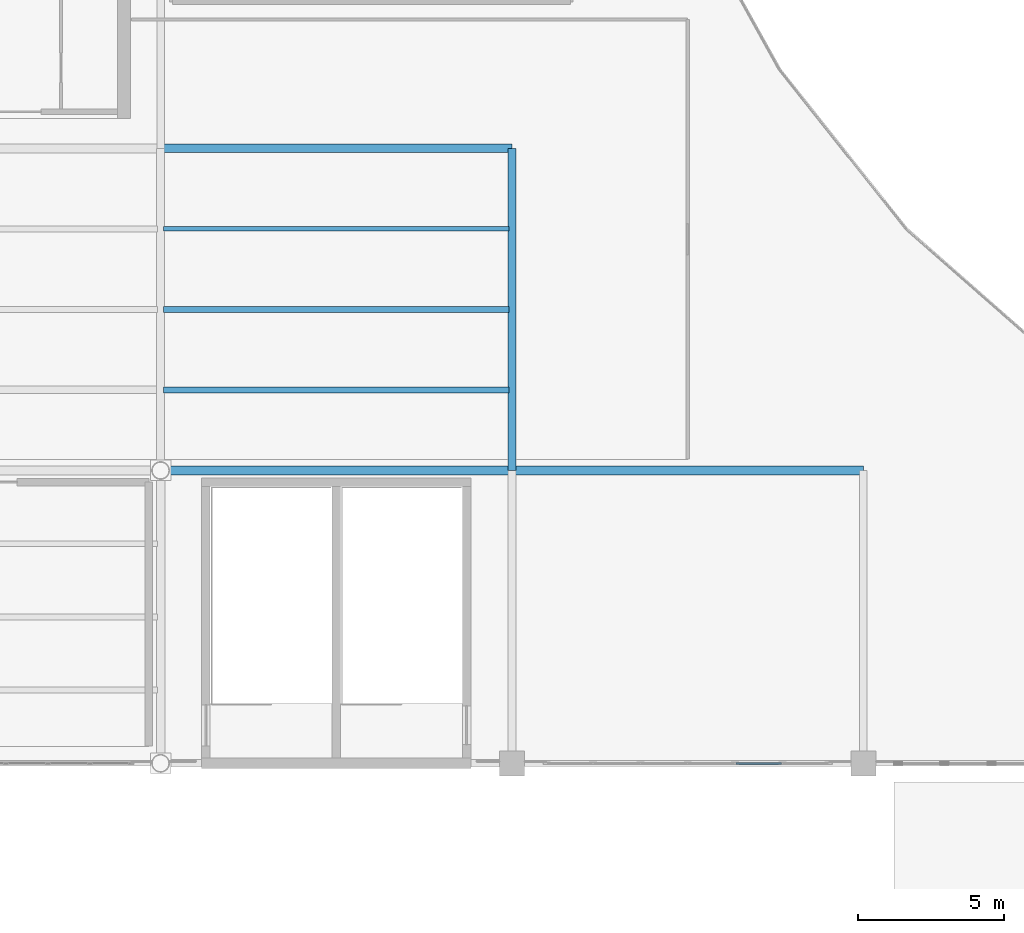
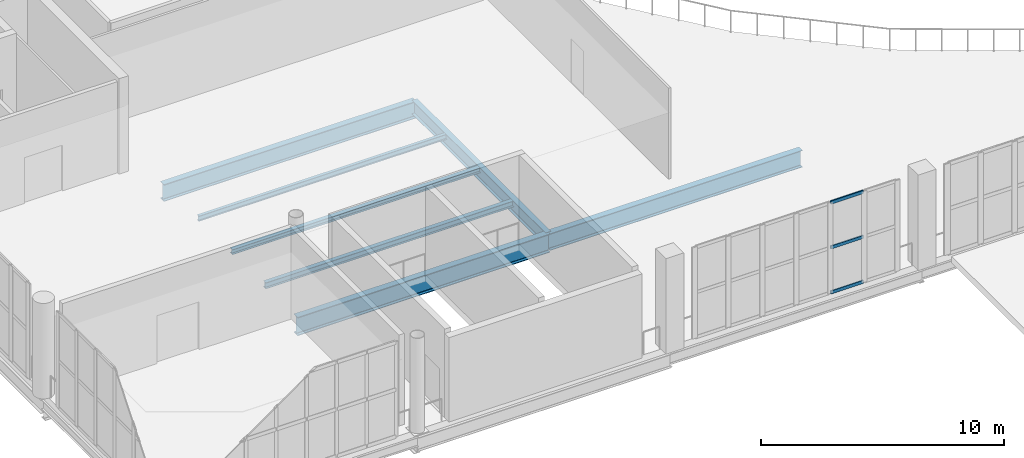
# One storey, part 11 of 49: 7 beams, 3 members, 1 element without a shape of its own.
"""IFC4 building model written with IfcOpenShell, lengths in metres."""

import ifcopenshell
import ifcopenshell.guid

model = None  # the IFC model being written
_history = None  # IfcOwnerHistory: only IFC2X3 demands one
_inside = {}  # id of a spatial element -> (the spatial element, [elements in it])
_under = {}  # id of a project, library or spatial element -> (it, [spatial elements below it])
_declared = {}  # id of a project -> (the project, [libraries it declares])
_typed = {}  # id of a type object -> (the type object, [elements of that type])
_made_of = {}  # id of a material, layer set ... -> (it, [elements and type objects made of it])


def new_model(schema):
    """Start an empty IFC model of exactly this schema.

    Asked for "IFC4X3", IfcOpenShell would pick the latest addendum, in which some entities
    have other attributes; the version numbers below select the first issue.
    IFC2X3 requires an IfcOwnerHistory on every rooted entity: one is made here for all.
    """
    global model, _history
    if schema == "IFC4X3":
        model = ifcopenshell.file(schema_version=(4, 3, 0, 0))
    else:
        model = ifcopenshell.file(schema=schema)
    _inside.clear()
    _under.clear()
    _declared.clear()
    _typed.clear()
    _made_of.clear()
    _history = None
    if model.schema == "IFC2X3":
        org = make("IfcOrganization", Name="unknown")
        user = make(
            "IfcPersonAndOrganization",
            ThePerson=make("IfcPerson", FamilyName="unknown"),
            TheOrganization=org,
        )
        app = make(
            "IfcApplication",
            ApplicationDeveloper=org,
            Version="unknown",
            ApplicationFullName="unknown",
            ApplicationIdentifier="unknown",
        )
        _history = make(
            "IfcOwnerHistory",
            OwningUser=user,
            OwningApplication=app,
            ChangeAction="ADDED",
            CreationDate=0,
        )
    return model


def make(cls, **values):
    """One entity of the class cls with the attributes given. An attribute that is None is left unset."""
    return model.create_entity(
        cls, **{name: value for name, value in values.items() if value is not None}
    )


def rooted(cls, **values):
    """An entity with a GlobalId (a new one), such as an element, a storey or a relation."""
    return make(cls, GlobalId=ifcopenshell.guid.new(), OwnerHistory=_history, **values)


def si_unit(unit_type, name, prefix=None):
    """IfcSIUnit, for example si_unit("LENGTHUNIT", "METRE", prefix="MILLI")."""
    return make("IfcSIUnit", UnitType=unit_type, Prefix=prefix, Name=name)


def assignment(units):
    """IfcUnitAssignment: the units of a project."""
    return None if units is None else make("IfcUnitAssignment", Units=units)


def point(xyz):
    """IfcCartesianPoint."""
    return None if xyz is None else make("IfcCartesianPoint", Coordinates=xyz)


def direction(xyz):
    """IfcDirection."""
    return None if xyz is None else make("IfcDirection", DirectionRatios=xyz)


def frame(location, z_axis=None, x_axis=None):
    """IfcAxis2Placement3D, a coordinate frame: its origin and axes. An axis left out is left unset."""
    return make(
        "IfcAxis2Placement3D",
        Location=point(location),
        Axis=direction(z_axis),
        RefDirection=direction(x_axis),
    )


def frame_2d(location, x_axis=None):
    """IfcAxis2Placement2D, a coordinate frame in the plane: its origin and x axis."""
    return make(
        "IfcAxis2Placement2D", Location=point(location), RefDirection=direction(x_axis)
    )


def origin():
    """The frame at (0, 0, 0) with its axes left unset."""
    return frame((0.0, 0.0, 0.0))


def origin_2d():
    """The frame at (0, 0) in the plane with its x axis left unset."""
    return frame_2d((0.0, 0.0))


def place(relative_to, where):
    """IfcLocalPlacement: puts the frame where relative to a parent placement (None: the world)."""
    return make(
        "IfcLocalPlacement", PlacementRelTo=relative_to, RelativePlacement=where
    )


def context(
    kind, dimensions, precision=None, world=None, true_north=None, identifier=None
):
    """IfcGeometricRepresentationContext, for example the 3D "Model" context."""
    return make(
        "IfcGeometricRepresentationContext",
        ContextIdentifier=identifier,
        ContextType=kind,
        CoordinateSpaceDimension=dimensions,
        Precision=precision,
        WorldCoordinateSystem=world,
        TrueNorth=true_north,
    )


def subcontext(parent, identifier, kind, view, scale=None):
    """IfcGeometricRepresentationSubContext, for example "Body" below "Model"."""
    return make(
        "IfcGeometricRepresentationSubContext",
        ContextIdentifier=identifier,
        ContextType=kind,
        ParentContext=parent,
        TargetScale=scale,
        TargetView=view,
    )


def project(units=None, contexts=None):
    """IfcProject with its units and contexts."""
    return rooted(
        "IfcProject",
        Name="project",
        RepresentationContexts=contexts,
        UnitsInContext=assignment(units),
    )


def spatial(cls, under=None, at=None, **own):
    """A site, building, storey or space (cls), placed at a placement, below another one or the project."""
    s = rooted(cls, ObjectPlacement=at, **own)
    if under is not None:
        _under.setdefault(under.id(), (under, []))[1].append(s)
    return s


def profile(cls, at=None, kind="AREA", **sizes):
    """A parametric profile (cls). Its sizes go by their IFC names, for example OverallWidth=200.0."""
    return make(cls, ProfileType=kind, Position=at, **sizes)


def hollow_rectangle(**sizes):
    """IfcRectangleHollowProfileDef."""
    return profile("IfcRectangleHollowProfileDef", **sizes)


def i_section(**sizes):
    """IfcIShapeProfileDef."""
    return profile("IfcIShapeProfileDef", **sizes)


def extrude(swept, where, along, depth):
    """IfcExtrudedAreaSolid: the profile swept, set in the frame where, extruded along a direction by depth."""
    return make(
        "IfcExtrudedAreaSolid",
        SweptArea=swept,
        Position=where,
        ExtrudedDirection=direction(along),
        Depth=depth,
    )


def shape(context_of_items, identifier, shape_type, items):
    """IfcShapeRepresentation: the items that make up one representation, for example the "Body"."""
    return make(
        "IfcShapeRepresentation",
        ContextOfItems=context_of_items,
        RepresentationIdentifier=identifier,
        RepresentationType=shape_type,
        Items=items,
    )


def material(Name=None, Category=None):
    """IfcMaterial."""
    return make("IfcMaterial", Name=Name, Category=Category)


def layer(
    of_material, thickness, ventilated=None, Name=None, Category=None, Priority=None
):
    """IfcMaterialLayer: one layer of a wall or slab, of a material (None: an air gap)."""
    return make(
        "IfcMaterialLayer",
        Material=of_material,
        LayerThickness=thickness,
        IsVentilated=ventilated,
        Name=Name,
        Category=Category,
        Priority=Priority,
    )


def layer_set(layers, Name=None):
    """IfcMaterialLayerSet."""
    return make("IfcMaterialLayerSet", MaterialLayers=layers, LayerSetName=Name)


def material_profile(
    of_material, cross_section, Name=None, Category=None, Priority=None
):
    """IfcMaterialProfile: a cross section and its material."""
    return make(
        "IfcMaterialProfile",
        Name=Name,
        Material=of_material,
        Profile=cross_section,
        Priority=Priority,
        Category=Category,
    )


def profile_set(profiles, Name=None, composite=None):
    """IfcMaterialProfileSet."""
    return make(
        "IfcMaterialProfileSet",
        Name=Name,
        MaterialProfiles=profiles,
        CompositeProfile=composite,
    )


def made_of(thing, what):
    """Note that an element or type object is made of a material, layer set ...; save() writes the relation."""
    if what is not None:
        _made_of.setdefault(what.id(), (what, []))[1].append(thing)
    return thing


def type_object(cls, material=None, **own):
    """A type object (cls), such as IfcWallType, which elements share."""
    return made_of(rooted(cls, **own), material)


def element(
    cls,
    number,
    at=None,
    inside=None,
    cuts=None,
    type_object=None,
    material=None,
    context=None,
    identifier="Body",
    shape_type=None,
    held_by="IfcProductDefinitionShape",
    body=None,
    shapes=None,
    **own,
):
    """One element of the class cls, such as IfcWall. Its Tag is "e" and its number.

    at: its placement. inside: the storey or other place that contains it. cuts: it is an
    opening in that element (IfcRelVoidsElement). A single representation is given by context,
    identifier, shape_type and body (its items); several are given by shapes. held_by: the class
    of the entity that holds the representations. save() writes the other relations.
    """
    e = rooted(cls, Tag="e%d" % number, ObjectPlacement=at, **own)
    if body is not None:
        shapes = [shape(context, identifier, shape_type, body)]
    if shapes is not None:
        e.Representation = make(held_by, Representations=shapes)
    if inside is not None:
        _inside.setdefault(inside.id(), (inside, []))[1].append(e)
    if cuts is not None:
        rooted(
            "IfcRelVoidsElement", RelatingBuildingElement=cuts, RelatedOpeningElement=e
        )
    if type_object is not None:
        _typed.setdefault(type_object.id(), (type_object, []))[1].append(e)
    return made_of(e, material)


def aggregate(whole, parts):
    """IfcRelAggregates: a whole, such as a stair, and the parts it consists of."""
    return rooted("IfcRelAggregates", RelatingObject=whole, RelatedObjects=parts)


def save(model, path):
    """Write the relations noted so far, then the file.

    IfcRelAggregates (storeys below a building ...), IfcRelContainedInSpatialStructure (elements
    in a storey), IfcRelDefinesByType, IfcRelAssociatesMaterial and IfcRelDeclares: one each for
    every whole, place, type object, material and project.
    """
    for whole, parts in _under.values():
        aggregate(whole, parts)
    for where, things in _inside.values():
        rooted(
            "IfcRelContainedInSpatialStructure",
            RelatedElements=things,
            RelatingStructure=where,
        )
    for kind, things in _typed.values():
        rooted("IfcRelDefinesByType", RelatedObjects=things, RelatingType=kind)
    for what, things in _made_of.values():
        rooted("IfcRelAssociatesMaterial", RelatedObjects=things, RelatingMaterial=what)
    for by, libraries in _declared.values():
        rooted("IfcRelDeclares", RelatingContext=by, RelatedDefinitions=libraries)
    model.write(path)


model = new_model("IFC4")

# Units and contexts
model_context = context("Model", 3, precision=1e-05, world=origin(), true_north=direction((0.0, 1.0)))
body_context = subcontext(model_context, "Body", "Model", "MODEL_VIEW")
ifc_project = project(units=[si_unit("LENGTHUNIT", "METRE"), si_unit("AREAUNIT", "SQUARE_METRE"), si_unit("VOLUMEUNIT", "CUBIC_METRE"), si_unit("PLANEANGLEUNIT", "RADIAN"), si_unit("MASSUNIT", "GRAM", prefix="KILO")], contexts=[model_context])

# Site, building, storey
site_placement = place(None, origin())
site = spatial("IfcSite", under=ifc_project, at=site_placement, CompositionType="ELEMENT")
building_placement = place(site_placement, origin())
building = spatial("IfcBuilding", under=site, at=building_placement, Name="Brinegate Civic Arena", CompositionType="ELEMENT")
storey_placement = place(building_placement, frame((0.0, 0.0, 24.60009765625)))
storey = spatial("IfcBuildingStorey", under=building, at=storey_placement, Name="L05", CompositionType="ELEMENT", Elevation=24.60009765625)

# Curtain wall, members
ifc_material_1 = material(Name="Marine grade aluminium", Category="aluminium")
ifc_layer = layer(ifc_material_1, 0.199951171875, Name="Marine grade aluminium")
ifc_layer_set = layer_set([ifc_layer], Name="Marine grade aluminium")
curtain_wall_type = type_object("IfcCurtainWallType", Name="CW-BOWL-GLAZED-01", PredefinedType="USERDEFINED", material=ifc_layer_set)
curtain_wall_placement = place(storey_placement, origin())
curtain_wall = element("IfcCurtainWall", 1, at=curtain_wall_placement, inside=storey, type_object=curtain_wall_type, Name="Curtain Wall CWA-165", ObjectType="GLAZED CURTAIN WALL", PredefinedType="USERDEFINED")
ifc_material_profile_1 = material_profile(ifc_material_1, hollow_rectangle(XDim=0.06494140625, YDim=0.1650390625, WallThickness=0.0048828125, InnerFilletRadius=0.00390625, OuterFilletRadius=0.008056640625, at=origin_2d()), Name="TRN65X165")
ifc_profile_set_1 = profile_set([ifc_material_profile_1], Name="Marine grade aluminium")
member_type = type_object("IfcMemberType", Name="CW-TRANSOM-65X165", PredefinedType="USERDEFINED", material=ifc_profile_set_1)
member_1_placement = place(storey_placement, frame((79.65380859375, 10.0, 0.032470703125), z_axis=(1.0, 0.0, 0.0), x_axis=(0.0, 1.0, 0.0)))
member_1 = element("IfcMember", 2, at=member_1_placement, type_object=member_type, Name="CWA-165 transom 5.1", ObjectType="TRANSOM", PredefinedType="USERDEFINED", context=body_context, shape_type="SweptSolid", body=[
    extrude(hollow_rectangle(XDim=0.06494140625, YDim=0.1650390625, WallThickness=0.0048828125, InnerFilletRadius=0.00390625, OuterFilletRadius=0.008056640625, at=origin_2d()), origin(), (0.0, 0.0, 1.0), 1.541259765625),
])
member_2_placement = place(storey_placement, frame((79.65380859375, 10.0, 2.289794921875), z_axis=(1.0, 0.0, 0.0), x_axis=(0.0, 1.0, 0.0)))
member_2 = element("IfcMember", 3, at=member_2_placement, type_object=member_type, Name="CWA-165 transom 5.2", ObjectType="TRANSOM", PredefinedType="USERDEFINED", context=body_context, shape_type="SweptSolid", body=[
    extrude(hollow_rectangle(XDim=0.06494140625, YDim=0.1650390625, WallThickness=0.0048828125, InnerFilletRadius=0.00390625, OuterFilletRadius=0.008056640625, at=origin_2d()), origin(), (0.0, 0.0, 1.0), 1.541259765625),
])
member_3_placement = place(storey_placement, frame((79.65380859375, 10.0, 4.54736328125), z_axis=(1.0, 0.0, 0.0), x_axis=(0.0, 1.0, 0.0)))
member_3 = element("IfcMember", 4, at=member_3_placement, type_object=member_type, Name="CWA-165 transom 5.3", ObjectType="TRANSOM", PredefinedType="USERDEFINED", context=body_context, shape_type="SweptSolid", body=[
    extrude(hollow_rectangle(XDim=0.06494140625, YDim=0.1650390625, WallThickness=0.0048828125, InnerFilletRadius=0.00390625, OuterFilletRadius=0.008056640625, at=origin_2d()), origin(), (0.0, 0.0, 1.0), 1.541259765625),
])
aggregate(curtain_wall, [member_1, member_2, member_3])

# Beams
ifc_material_2 = material(Name="Steel S355", Category="steel")
ifc_material_profile_2 = material_profile(ifc_material_2, i_section(OverallWidth=0.256103515625, OverallDepth=0.693115234375, WebThickness=0.014892578125, FlangeThickness=0.02392578125, FilletRadius=0.01806640625, at=origin_2d()), Name="W690X170")
ifc_profile_set_2 = profile_set([ifc_material_profile_2], Name="Steel S355")
beam_type_1 = type_object("IfcBeamType", Name="GIRDER-W690X170", PredefinedType="BEAM", material=ifc_profile_set_2)
beam_1_placement = place(storey_placement, frame((72.0, 20.0, -0.676025390625), z_axis=(0.0, 1.0, 0.0), x_axis=(-1.0, 0.0, 0.0)))
element("IfcBeam", 5, at=beam_1_placement, inside=storey, type_object=beam_type_1, Name="Floor Girder BM-L05-GY-06-02", PredefinedType="BEAM", context=body_context, shape_type="SweptSolid", body=[
    extrude(i_section(OverallWidth=0.256103515625, OverallDepth=0.693115234375, WebThickness=0.014892578125, FlangeThickness=0.02392578125, FilletRadius=0.01806640625, at=origin_2d()), origin(), (0.0, 0.0, 1.0), 11.0),
])
ifc_material_profile_3 = material_profile(ifc_material_2, i_section(OverallWidth=0.2939453125, OverallDepth=0.85107421875, WebThickness=0.01611328125, FlangeThickness=0.027099609375, FilletRadius=0.02197265625, at=origin_2d()), Name="W840X226")
ifc_profile_set_3 = profile_set([ifc_material_profile_3], Name="Steel S355")
beam_type_2 = type_object("IfcBeamType", Name="GIRDER-W840X226", PredefinedType="BEAM", material=ifc_profile_set_3)
for number, where, z_axis, x_axis, name in (
    (6, (72.0, 20.0, -0.755126953125), (1.0, 0.0, 0.0), (0.0, 1.0, 0.0), "Floor Girder BM-L05-GX-06-02"),
    (7, (60.0, 31.0, -0.755126953125), (1.0, 0.0, 0.0), (0.0, 1.0, 0.0), "Floor Girder BM-L05-GX-05-03"),
):
    element("IfcBeam", number, at=place(storey_placement, frame(where, z_axis=z_axis, x_axis=x_axis)), inside=storey, type_object=beam_type_2, Name=name, PredefinedType="BEAM", context=body_context, shape_type="SweptSolid", body=[
        extrude(i_section(OverallWidth=0.2939453125, OverallDepth=0.85107421875, WebThickness=0.01611328125, FlangeThickness=0.027099609375, FilletRadius=0.02197265625, at=origin_2d()), origin(), (0.0, 0.0, 1.0), 12.0),
    ])
ifc_material_profile_4 = material_profile(ifc_material_2, i_section(OverallWidth=0.30810546875, OverallDepth=0.927001953125, WebThickness=0.01904296875, FlangeThickness=0.031982421875, FilletRadius=0.02392578125, at=origin_2d()), Name="W920X289")
ifc_profile_set_4 = profile_set([ifc_material_profile_4], Name="Steel S355")
beam_type_3 = type_object("IfcBeamType", Name="GIRDER-W920X289", PredefinedType="BEAM", material=ifc_profile_set_4)
beam_2_placement = place(storey_placement, frame((60.0, 20.0, -0.793212890625), z_axis=(1.0, 0.0, 0.0), x_axis=(0.0, 1.0, 0.0)))
element("IfcBeam", 8, at=beam_2_placement, inside=storey, type_object=beam_type_3, Name="Floor Girder BM-L05-GX-05-02", PredefinedType="BEAM", context=body_context, shape_type="SweptSolid", body=[
    extrude(i_section(OverallWidth=0.30810546875, OverallDepth=0.927001953125, WebThickness=0.01904296875, FlangeThickness=0.031982421875, FilletRadius=0.02392578125, at=origin_2d()), origin(), (0.0, 0.0, 1.0), 12.0),
])
ifc_material_profile_5 = material_profile(ifc_material_2, i_section(OverallWidth=0.14794921875, OverallDepth=0.26611328125, WebThickness=0.008056640625, FlangeThickness=0.012939453125, FilletRadius=0.011962890625, at=origin_2d()), Name="W250X45")
ifc_profile_set_5 = profile_set([ifc_material_profile_5], Name="Steel S355")
beam_type_4 = type_object("IfcBeamType", Name="JOIST-W250X45", PredefinedType="JOIST", material=ifc_profile_set_5)
beam_3_placement = place(storey_placement, frame((60.10595703125, 28.25, -0.463134765625), z_axis=(1.0, 0.0, 0.0), x_axis=(0.0, 1.0, 0.0)))
element("IfcBeam", 9, at=beam_3_placement, inside=storey, type_object=beam_type_4, Name="Secondary Joist BM-L05-JX-05-02-3", PredefinedType="JOIST", context=body_context, shape_type="SweptSolid", body=[
    extrude(i_section(OverallWidth=0.14794921875, OverallDepth=0.26611328125, WebThickness=0.008056640625, FlangeThickness=0.012939453125, FilletRadius=0.011962890625, at=origin_2d()), origin(), (0.0, 0.0, 1.0), 11.7880859375),
])
ifc_material_profile_6 = material_profile(ifc_material_2, i_section(OverallWidth=0.202880859375, OverallDepth=0.251953125, WebThickness=0.008056640625, FlangeThickness=0.013916015625, FilletRadius=0.011962890625, at=origin_2d()), Name="W250X58")
ifc_profile_set_6 = profile_set([ifc_material_profile_6], Name="Steel S355")
beam_type_5 = type_object("IfcBeamType", Name="JOIST-W250X58", PredefinedType="JOIST", material=ifc_profile_set_6)
beam_4_placement = place(storey_placement, frame((60.10595703125, 25.5, -0.4560546875), z_axis=(1.0, 0.0, 0.0), x_axis=(0.0, 1.0, 0.0)))
element("IfcBeam", 10, at=beam_4_placement, inside=storey, type_object=beam_type_5, Name="Secondary Joist BM-L05-JX-05-02-2", PredefinedType="JOIST", context=body_context, shape_type="SweptSolid", body=[
    extrude(i_section(OverallWidth=0.202880859375, OverallDepth=0.251953125, WebThickness=0.008056640625, FlangeThickness=0.013916015625, FilletRadius=0.011962890625, at=origin_2d()), origin(), (0.0, 0.0, 1.0), 11.7880859375),
])
ifc_material_profile_7 = material_profile(ifc_material_2, i_section(OverallWidth=0.202880859375, OverallDepth=0.302978515625, WebThickness=0.008056640625, FlangeThickness=0.012939453125, FilletRadius=0.012939453125, at=origin_2d()), Name="W310X60")
ifc_profile_set_7 = profile_set([ifc_material_profile_7], Name="Steel S355")
beam_type_6 = type_object("IfcBeamType", Name="JOIST-W310X60", PredefinedType="JOIST", material=ifc_profile_set_7)
beam_5_placement = place(storey_placement, frame((60.10595703125, 22.75, -0.481201171875), z_axis=(1.0, 0.0, 0.0), x_axis=(0.0, 1.0, 0.0)))
element("IfcBeam", 11, at=beam_5_placement, inside=storey, type_object=beam_type_6, Name="Secondary Joist BM-L05-JX-05-02-1", PredefinedType="JOIST", context=body_context, shape_type="SweptSolid", body=[
    extrude(i_section(OverallWidth=0.202880859375, OverallDepth=0.302978515625, WebThickness=0.008056640625, FlangeThickness=0.012939453125, FilletRadius=0.012939453125, at=origin_2d()), origin(), (0.0, 0.0, 1.0), 11.7880859375),
])

save(model, "model.ifc")
